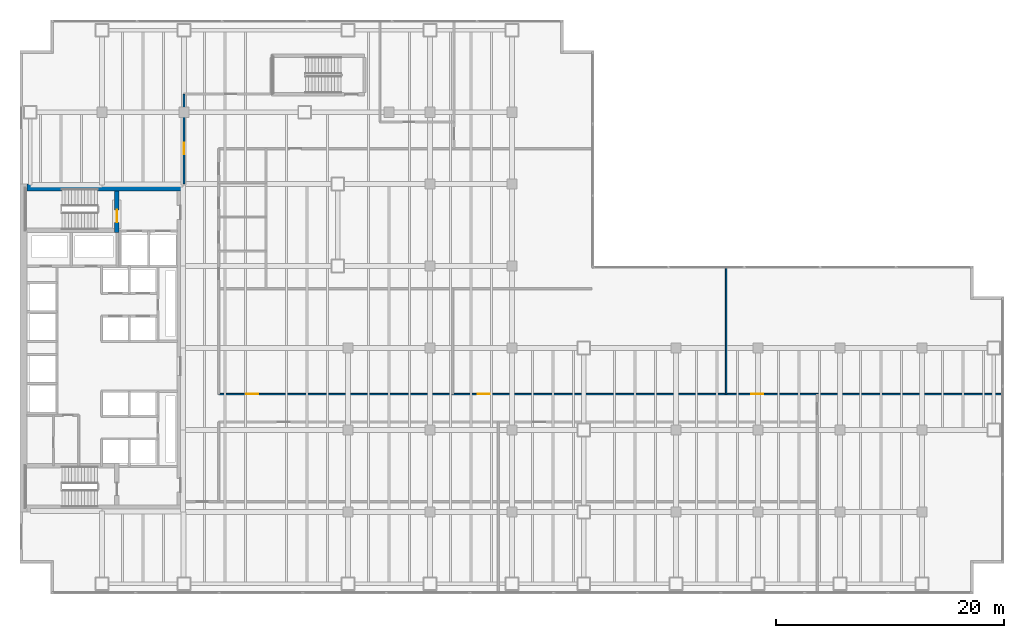
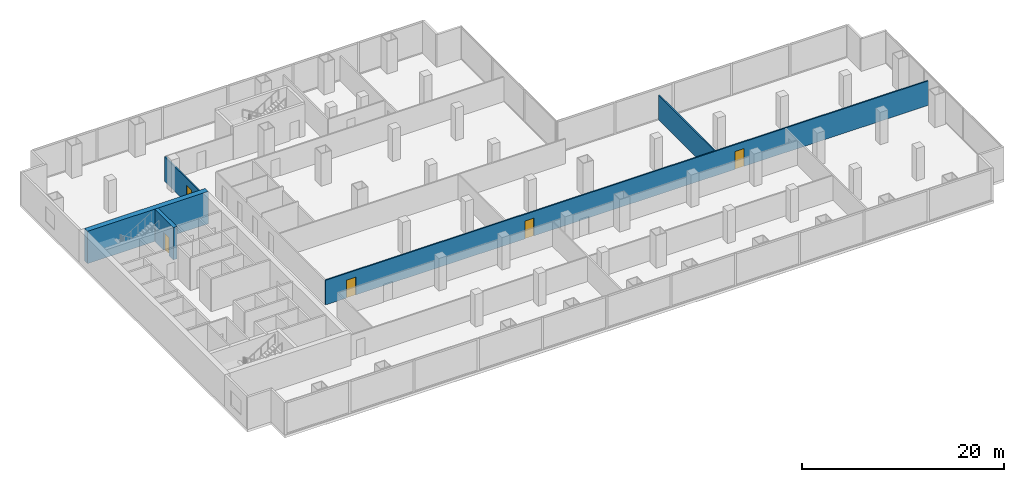
# One storey, part 24 of 29: 5 doors, 5 walls, 5 openings.
"""IFC4 building model written with IfcOpenShell, lengths in metres."""

from ifc_helpers import new_model, si_unit, direction, frame, frame_2d, origin, place, context, subcontext, project, spatial, rectangle, extrude, material, layer, layer_set, type_object, element, fill, save


model = new_model("IFC4")

# Units and contexts
model_context = context("Model", 3, precision=1e-05, world=origin(), true_north=direction((0.0, 1.0)))
body_context = subcontext(model_context, "Body", "Model", "MODEL_VIEW")
ifc_project = project(units=[si_unit("LENGTHUNIT", "METRE"), si_unit("AREAUNIT", "SQUARE_METRE"), si_unit("VOLUMEUNIT", "CUBIC_METRE"), si_unit("PLANEANGLEUNIT", "RADIAN"), si_unit("MASSUNIT", "GRAM", prefix="KILO")], contexts=[model_context])

# Site, building, storey
site_placement = place(None, origin())
site = spatial("IfcSite", under=ifc_project, at=site_placement, CompositionType="ELEMENT")
building_placement = place(site_placement, origin())
building = spatial("IfcBuilding", under=site, at=building_placement, Name="Cobrela Telecom Tower", CompositionType="ELEMENT")
storey_placement = place(building_placement, frame((0.0, 0.0, 13.64990234375)))
storey = spatial("IfcBuildingStorey", under=building, at=storey_placement, Name="L03", CompositionType="ELEMENT", Elevation=13.64990234375)

# Wall
ifc_material_1 = material(Name="Concrete C50/60", Category="concrete")
ifc_layer_1 = layer(ifc_material_1, 0.60009765625)
ifc_layer_set_1 = layer_set([ifc_layer_1], Name="Concrete C50/60")
wall_type_1 = type_object("IfcWallType", Name="WALL-CORE-C50-600", PredefinedType="SHEAR", material=ifc_layer_set_1)
wall_1_placement = place(storey_placement, frame((0.60009765625, 35.699951171875, 0.0), z_axis=(0.0, 0.0, 1.0), x_axis=(1.0, 0.0, 0.0)))
element("IfcWall", 1, at=wall_1_placement, inside=storey, type_object=wall_type_1, Name="L03 North Core Shear Wall", PredefinedType="SHEAR", context=body_context, shape_type="SweptSolid", body=[
    extrude(rectangle(XDim=13.7998046875, YDim=0.60009765625, at=frame_2d((6.89990234375, 0.0))), origin(), (0.0, 0.0, 1.0), 3.91015625),
])

# Wall, openings, doors
ifc_material_2 = material(Name="Fire-Rated Gypsum Plasterboard")
ifc_layer_2 = layer(ifc_material_2, 0.14990234375)
ifc_layer_set_2 = layer_set([ifc_layer_2], Name="Fire-Rated Gypsum Plasterboard")
wall_type_2 = type_object("IfcWallType", Name="WALL-PART-150", PredefinedType="PARTITIONING", material=ifc_layer_set_2)
wall_2_placement = place(storey_placement, frame((17.449951171875, 17.550048828125, 0.0), z_axis=(0.0, 0.0, 1.0), x_axis=(1.0, 0.0, 0.0)))
wall_2 = element("IfcWall", 2, at=wall_2_placement, inside=storey, type_object=wall_type_2, Name="L03 Interior Partition W-PC-HN", PredefinedType="PARTITIONING", context=body_context, shape_type="SweptSolid", body=[
    extrude(rectangle(XDim=68.830078125, YDim=0.14990234375, at=frame_2d((34.4150390625, 0.0))), origin(), (0.0, 0.0, 1.0), 2.968017578125),
])
opening_1_placement = place(wall_2_placement, frame((2.39990234375, 0.0, 0.0)))
opening_1 = element("IfcOpeningElement", 3, at=opening_1_placement, cuts=wall_2, Name="Opening DR-29", PredefinedType="OPENING", context=body_context, shape_type="SweptSolid", body=[
    extrude(rectangle(XDim=1.050048828125, YDim=2.14990234375, at=frame_2d((0.52490234375, 1.074951171875))), frame((0.0, 0.0869140625, 0.0), z_axis=(0.0, -1.0, 0.0), x_axis=(1.0, 0.0, 0.0)), (0.0, 0.0, 1.0), 0.173828125),
])
opening_2_placement = place(wall_2_placement, frame((22.75, 0.0, 0.0)))
opening_2 = element("IfcOpeningElement", 4, at=opening_2_placement, cuts=wall_2, Name="Opening DR-29", PredefinedType="OPENING", context=body_context, shape_type="SweptSolid", body=[
    extrude(rectangle(XDim=1.050048828125, YDim=2.14990234375, at=frame_2d((0.52490234375, 1.074951171875))), frame((0.0, 0.0869140625, 0.0), z_axis=(0.0, -1.0, 0.0), x_axis=(1.0, 0.0, 0.0)), (0.0, 0.0, 1.0), 0.173828125),
])
opening_3_placement = place(wall_2_placement, frame((46.75, 0.0, 0.0)))
opening_3 = element("IfcOpeningElement", 5, at=opening_3_placement, cuts=wall_2, Name="Opening DR-29", PredefinedType="OPENING", context=body_context, shape_type="SweptSolid", body=[
    extrude(rectangle(XDim=1.050048828125, YDim=2.14990234375, at=frame_2d((0.52490234375, 1.074951171875))), frame((0.0, 0.0869140625, 0.0), z_axis=(0.0, -1.0, 0.0), x_axis=(1.0, 0.0, 0.0)), (0.0, 0.0, 1.0), 0.173828125),
])
ifc_material_3 = material(Name="Solid Engineered Oak Timber", Category="wood")
door_type_1 = type_object("IfcDoorType", Name="DOOR-INT-1050", OperationType="SINGLE_SWING_LEFT", PredefinedType="DOOR", material=ifc_material_3)
door_1_placement = place(opening_1_placement, origin())
door_1 = element("IfcDoor", 6, at=door_1_placement, inside=storey, type_object=door_type_1, Name="L03 Door DR-29", OperationType="SINGLE_SWING_LEFT", OverallHeight=2.14990234375, OverallWidth=1.050048828125, PredefinedType="DOOR", context=body_context, shape_type="SweptSolid", body=[
    extrude(rectangle(XDim=1.050048828125, YDim=2.14990234375, at=frame_2d((0.52490234375, 1.074951171875))), frame((0.0, 0.02490234375, 0.0), z_axis=(0.0, -1.0, 0.0), x_axis=(1.0, 0.0, 0.0)), (0.0, 0.0, 1.0), 0.050048828125),
])
fill(opening_1, door_1)
door_2_placement = place(opening_2_placement, origin())
door_2 = element("IfcDoor", 7, at=door_2_placement, inside=storey, type_object=door_type_1, Name="L03 Door DR-29", OperationType="SINGLE_SWING_RIGHT", OverallHeight=2.14990234375, OverallWidth=1.050048828125, PredefinedType="DOOR", context=body_context, shape_type="SweptSolid", body=[
    extrude(rectangle(XDim=1.050048828125, YDim=2.14990234375, at=frame_2d((0.52490234375, 1.074951171875))), frame((0.0, 0.02490234375, 0.0), z_axis=(0.0, -1.0, 0.0), x_axis=(1.0, 0.0, 0.0)), (0.0, 0.0, 1.0), 0.050048828125),
])
fill(opening_2, door_2)
door_3_placement = place(opening_3_placement, origin())
door_3 = element("IfcDoor", 8, at=door_3_placement, inside=storey, type_object=door_type_1, Name="L03 Door DR-29", OperationType="SINGLE_SWING_LEFT", OverallHeight=2.14990234375, OverallWidth=1.050048828125, PredefinedType="DOOR", context=body_context, shape_type="SweptSolid", body=[
    extrude(rectangle(XDim=1.050048828125, YDim=2.14990234375, at=frame_2d((0.52490234375, 1.074951171875))), frame((0.0, 0.02490234375, 0.0), z_axis=(0.0, -1.0, 0.0), x_axis=(1.0, 0.0, 0.0)), (0.0, 0.0, 1.0), 0.050048828125),
])
fill(opening_3, door_3)

# Wall
wall_3_placement = place(storey_placement, frame((62.0, 17.550048828125, 0.0), z_axis=(0.0, 0.0, 1.0), x_axis=(0.0, 1.0, 0.0)))
element("IfcWall", 9, at=wall_3_placement, inside=storey, type_object=wall_type_2, Name="L03 Interior Partition W-POD-V2", PredefinedType="PARTITIONING", context=body_context, shape_type="SweptSolid", body=[
    extrude(rectangle(XDim=11.14990234375, YDim=0.14990234375, at=frame_2d((5.574951171875, 0.0))), origin(), (0.0, 0.0, 1.0), 2.968017578125),
])

# Wall, opening, door
wall_4_placement = place(storey_placement, frame((14.39990234375, 36.0, 0.0), z_axis=(0.0, 0.0, 1.0), x_axis=(0.0, 1.0, 0.0)))
wall_4 = element("IfcWall", 10, at=wall_4_placement, inside=storey, type_object=wall_type_2, Name="L03 Interior Partition W-POD-NWE", PredefinedType="PARTITIONING", context=body_context, shape_type="SweptSolid", body=[
    extrude(rectangle(XDim=7.89990234375, YDim=0.14990234375, at=frame_2d((3.949951171875, 0.0))), origin(), (0.0, 0.0, 1.0), 2.968017578125),
])
opening_4_placement = place(wall_4_placement, frame((2.60009765625, 0.0, 0.0)))
opening_4 = element("IfcOpeningElement", 11, at=opening_4_placement, cuts=wall_4, Name="Opening DR-31", PredefinedType="OPENING", context=body_context, shape_type="SweptSolid", body=[
    extrude(rectangle(XDim=1.0, YDim=2.14990234375, at=frame_2d((0.5, 1.074951171875))), frame((0.0, 0.0869140625, 0.0), z_axis=(0.0, -1.0, 0.0), x_axis=(1.0, 0.0, 0.0)), (0.0, 0.0, 1.0), 0.173828125),
])
door_type_2 = type_object("IfcDoorType", Name="DOOR-INT-1000", OperationType="SINGLE_SWING_LEFT", PredefinedType="DOOR", material=ifc_material_3)
door_4_placement = place(opening_4_placement, origin())
door_4 = element("IfcDoor", 12, at=door_4_placement, inside=storey, type_object=door_type_2, Name="L03 Door DR-31", OperationType="SINGLE_SWING_RIGHT", OverallHeight=2.14990234375, OverallWidth=1.0, PredefinedType="DOOR", context=body_context, shape_type="SweptSolid", body=[
    extrude(rectangle(XDim=1.0, YDim=2.14990234375, at=frame_2d((0.5, 1.074951171875))), frame((0.0, 0.02490234375, 0.0), z_axis=(0.0, -1.0, 0.0), x_axis=(1.0, 0.0, 0.0)), (0.0, 0.0, 1.0), 0.050048828125),
])
fill(opening_4, door_4)

ifc_material_4 = material(Name="Concrete C40/50", Category="concrete")
ifc_layer_3 = layer(ifc_material_4, 0.39990234375)
ifc_layer_set_3 = layer_set([ifc_layer_3], Name="Concrete C40/50")
wall_type_3 = type_object("IfcWallType", Name="WALL-SHAFT-C40-400", PredefinedType="SHEAR", material=ifc_layer_set_3)
wall_5_placement = place(storey_placement, frame((8.5, 31.719970703125, 0.0), z_axis=(0.0, 0.0, 1.0), x_axis=(0.0, 1.0, 0.0)))
wall_5 = element("IfcWall", 13, at=wall_5_placement, inside=storey, type_object=wall_type_3, Name="L03 North Stair Lobby Shear Wall", PredefinedType="SHEAR", context=body_context, shape_type="SweptSolid", body=[
    extrude(rectangle(XDim=3.679931640625, YDim=0.39990234375, at=frame_2d((1.83984375, 0.0))), origin(), (0.0, 0.0, 1.0), 3.91015625),
])
opening_5_placement = place(wall_5_placement, frame((0.89990234375, 0.0, 0.0)))
opening_5 = element("IfcOpeningElement", 14, at=opening_5_placement, cuts=wall_5, Name="Opening DR-59", PredefinedType="OPENING", context=body_context, shape_type="SweptSolid", body=[
    extrude(rectangle(XDim=1.10009765625, YDim=2.14990234375, at=frame_2d((0.550048828125, 1.074951171875))), frame((0.0, 0.2119140625, 0.0), z_axis=(0.0, -1.0, 0.0), x_axis=(1.0, 0.0, 0.0)), (0.0, 0.0, 1.0), 0.423828125),
])
ifc_material_5 = material(Name="Steel ASTM A36", Category="steel")
door_type_3 = type_object("IfcDoorType", Name="DOOR-FD60-1100", OperationType="SINGLE_SWING_LEFT", PredefinedType="DOOR", material=ifc_material_5)
door_5_placement = place(opening_5_placement, origin())
door_5 = element("IfcDoor", 15, at=door_5_placement, inside=storey, type_object=door_type_3, Name="L03 Door DR-59", OperationType="SINGLE_SWING_RIGHT", OverallHeight=2.14990234375, OverallWidth=1.10009765625, PredefinedType="DOOR", context=body_context, shape_type="SweptSolid", body=[
    extrude(rectangle(XDim=1.10009765625, YDim=2.14990234375, at=frame_2d((0.550048828125, 1.074951171875))), frame((0.0, 0.02490234375, 0.0), z_axis=(0.0, -1.0, 0.0), x_axis=(1.0, 0.0, 0.0)), (0.0, 0.0, 1.0), 0.050048828125),
])
fill(opening_5, door_5)

save(model, "model.ifc")
